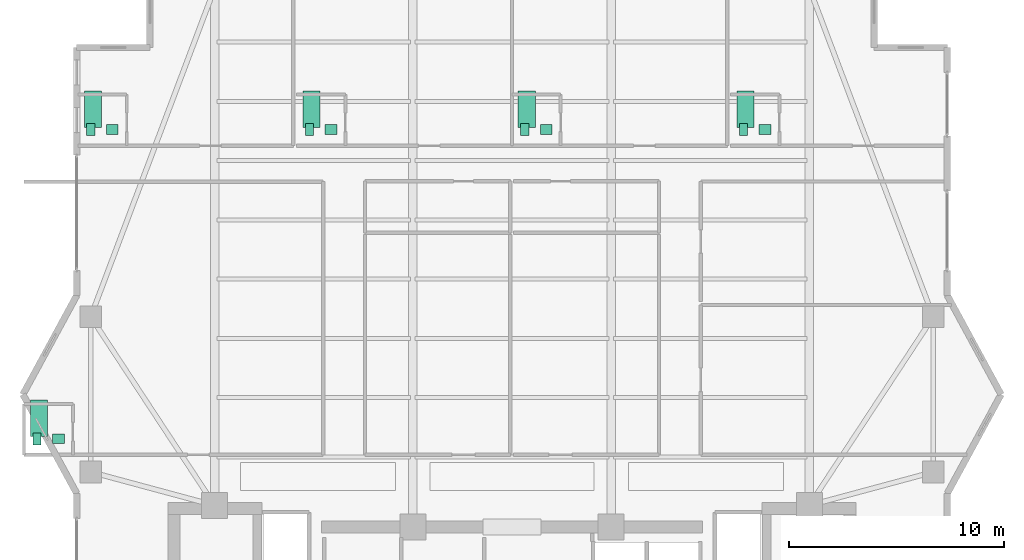
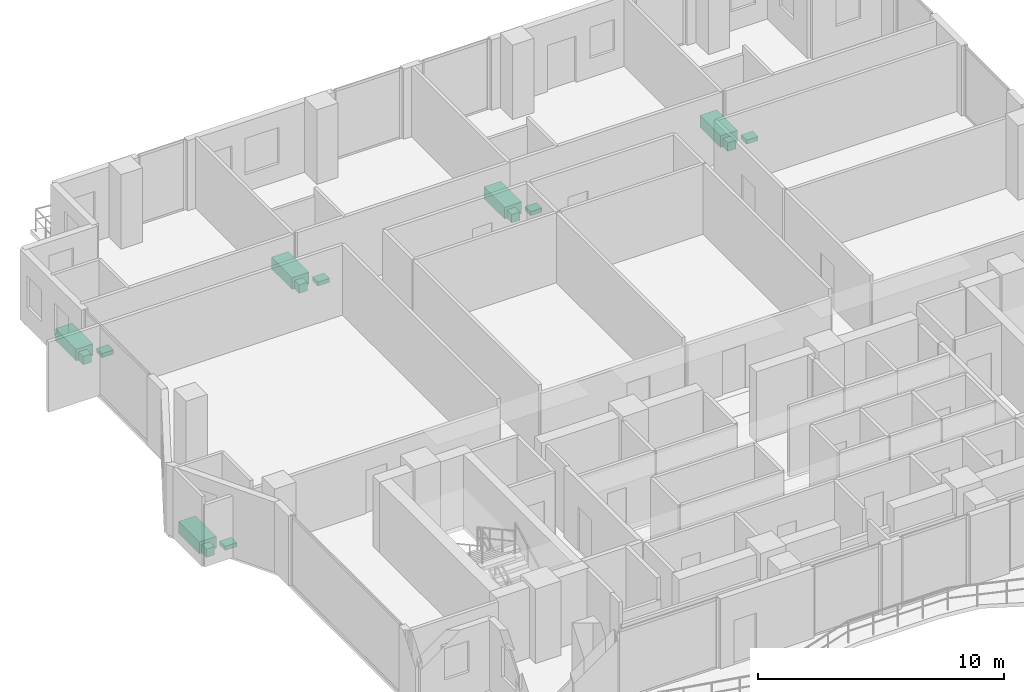
# One storey, part 26 of 26: 15 sanitary terminals.
"""IFC4 building model written with IfcOpenShell, lengths in metres."""

from ifc_helpers import new_model, si_unit, direction, frame, origin, origin_2d, place, context, subcontext, project, spatial, rectangle, extrude, material, type_object, element, save


model = new_model("IFC4")

# Units and contexts
model_context = context("Model", 3, precision=1e-05, world=origin(), true_north=direction((0.0, 1.0)))
body_context = subcontext(model_context, "Body", "Model", "MODEL_VIEW")
ifc_project = project(units=[si_unit("LENGTHUNIT", "METRE"), si_unit("AREAUNIT", "SQUARE_METRE"), si_unit("VOLUMEUNIT", "CUBIC_METRE"), si_unit("PLANEANGLEUNIT", "RADIAN"), si_unit("MASSUNIT", "GRAM", prefix="KILO")], contexts=[model_context])

# Site, building, storey
site_placement = place(None, origin())
site = spatial("IfcSite", under=ifc_project, at=site_placement, CompositionType="ELEMENT")
building_placement = place(site_placement, origin())
building = spatial("IfcBuilding", under=site, at=building_placement, Name="Zuhayl Quay Hotel", CompositionType="ELEMENT")
storey_placement = place(building_placement, frame((0.0, 0.0, 254.449951171875)))
storey = spatial("IfcBuildingStorey", under=building, at=storey_placement, Name="L64", CompositionType="ELEMENT", Elevation=254.449951171875)

# Sanitary terminals
ifc_material = material(Name="Vitreous Porcelain Sanitaryware")
sanitary_terminal_type_1 = type_object("IfcSanitaryTerminalType", Name="SAN_BASIN", PredefinedType="WASHHANDBASIN", material=ifc_material)
for number, where, z_axis, x_axis, name in (
    (1, (-18.550048828125, 31.7900390625, 0.0), (0.0, 0.0, 1.0), (1.0, 0.0, 0.0), "L64 Sanitary Fixture WASHHANDBASIN"),
    (2, (-8.39990234375, 31.7900390625, 0.0), (0.0, 0.0, 1.0), (1.0, 0.0, 0.0), "L64 Sanitary Fixture WASHHANDBASIN"),
    (3, (1.590087890625, 31.7900390625, 0.0), (0.0, 0.0, 1.0), (1.0, 0.0, 0.0), "L64 Sanitary Fixture WASHHANDBASIN"),
    (4, (11.739990234375, 31.7900390625, 0.0), (0.0, 0.0, 1.0), (1.0, 0.0, 0.0), "L64 Sanitary Fixture WASHHANDBASIN"),
    (5, (-21.050048828125, 17.43994140625, 0.0), (0.0, 0.0, 1.0), (1.0, 0.0, 0.0), "L64 Sanitary Fixture WASHHANDBASIN"),
):
    element("IfcSanitaryTerminal", number, at=place(storey_placement, frame(where, z_axis=z_axis, x_axis=x_axis)), inside=storey, type_object=sanitary_terminal_type_1, Name=name, PredefinedType="WASHHANDBASIN", context=body_context, shape_type="SweptSolid", body=[
        extrude(rectangle(XDim=0.550048828125, YDim=0.449951171875, at=origin_2d()), origin(), (0.0, 0.0, 1.0), 0.199951171875),
    ])
sanitary_terminal_type_2 = type_object("IfcSanitaryTerminalType", Name="SAN_BATH", PredefinedType="BATH", material=ifc_material)
for number, where, z_axis, x_axis, name in (
    (6, (-19.449951171875, 32.739990234375, 0.0), (0.0, 0.0, 1.0), (1.0, 0.0, 0.0), "L64 Sanitary Fixture BATH"),
    (7, (-9.300048828125, 32.739990234375, 0.0), (0.0, 0.0, 1.0), (1.0, 0.0, 0.0), "L64 Sanitary Fixture BATH"),
    (8, (0.68994140625, 32.739990234375, 0.0), (0.0, 0.0, 1.0), (1.0, 0.0, 0.0), "L64 Sanitary Fixture BATH"),
    (9, (10.840087890625, 32.739990234375, 0.0), (0.0, 0.0, 1.0), (1.0, 0.0, 0.0), "L64 Sanitary Fixture BATH"),
    (10, (-21.949951171875, 18.389892578125, 0.0), (0.0, 0.0, 1.0), (1.0, 0.0, 0.0), "L64 Sanitary Fixture BATH"),
):
    element("IfcSanitaryTerminal", number, at=place(storey_placement, frame(where, z_axis=z_axis, x_axis=x_axis)), inside=storey, type_object=sanitary_terminal_type_2, Name=name, PredefinedType="BATH", context=body_context, shape_type="SweptSolid", body=[
        extrude(rectangle(XDim=0.800048828125, YDim=1.699951171875, at=origin_2d()), origin(), (0.0, 0.0, 1.0), 0.580078125),
    ])
sanitary_terminal_type_3 = type_object("IfcSanitaryTerminalType", Name="SAN_WC", PredefinedType="TOILETPAN", material=ifc_material)
for number, where, z_axis, x_axis, name in (
    (11, (-19.550048828125, 31.7900390625, 0.0), (0.0, 0.0, 1.0), (1.0, 0.0, 0.0), "L64 Sanitary Fixture TOILETPAN"),
    (12, (-9.39990234375, 31.7900390625, 0.0), (0.0, 0.0, 1.0), (1.0, 0.0, 0.0), "L64 Sanitary Fixture TOILETPAN"),
    (13, (0.590087890625, 31.7900390625, 0.0), (0.0, 0.0, 1.0), (1.0, 0.0, 0.0), "L64 Sanitary Fixture TOILETPAN"),
    (14, (10.739990234375, 31.7900390625, 0.0), (0.0, 0.0, 1.0), (1.0, 0.0, 0.0), "L64 Sanitary Fixture TOILETPAN"),
    (15, (-22.050048828125, 17.43994140625, 0.0), (0.0, 0.0, 1.0), (1.0, 0.0, 0.0), "L64 Sanitary Fixture TOILETPAN"),
):
    element("IfcSanitaryTerminal", number, at=place(storey_placement, frame(where, z_axis=z_axis, x_axis=x_axis)), inside=storey, type_object=sanitary_terminal_type_3, Name=name, PredefinedType="TOILETPAN", context=body_context, shape_type="SweptSolid", body=[
        extrude(rectangle(XDim=0.3798828125, YDim=0.56005859375, at=origin_2d()), origin(), (0.0, 0.0, 1.0), 0.419921875),
    ])

save(model, "model.ifc")
